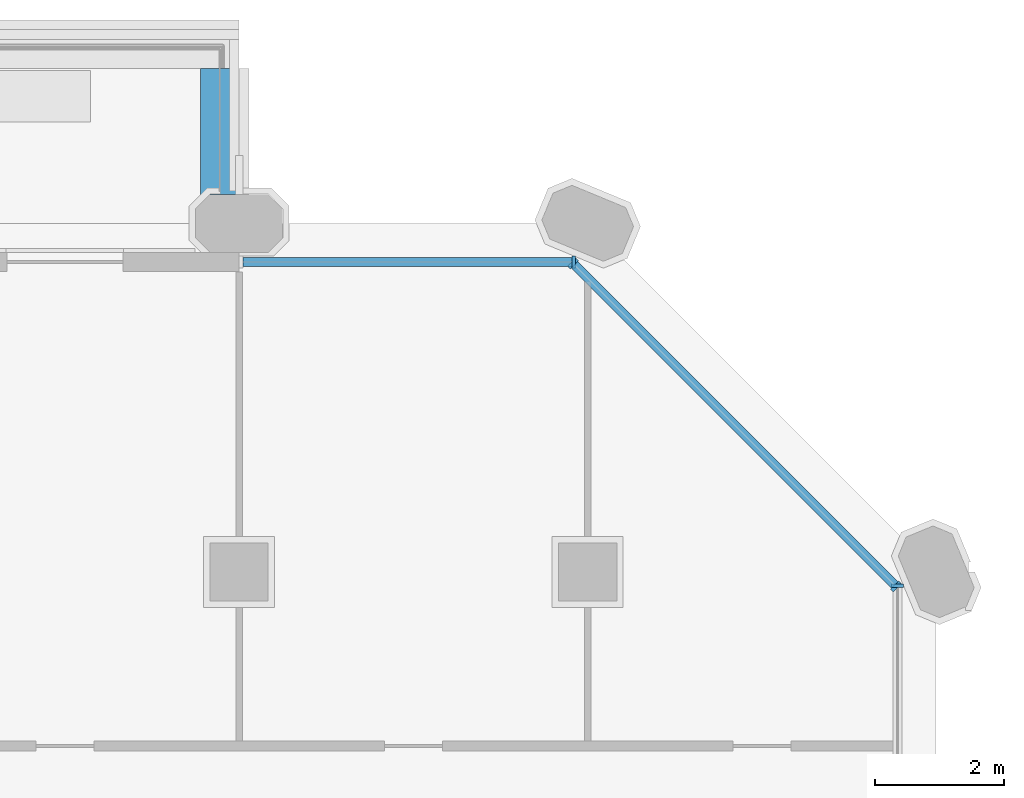
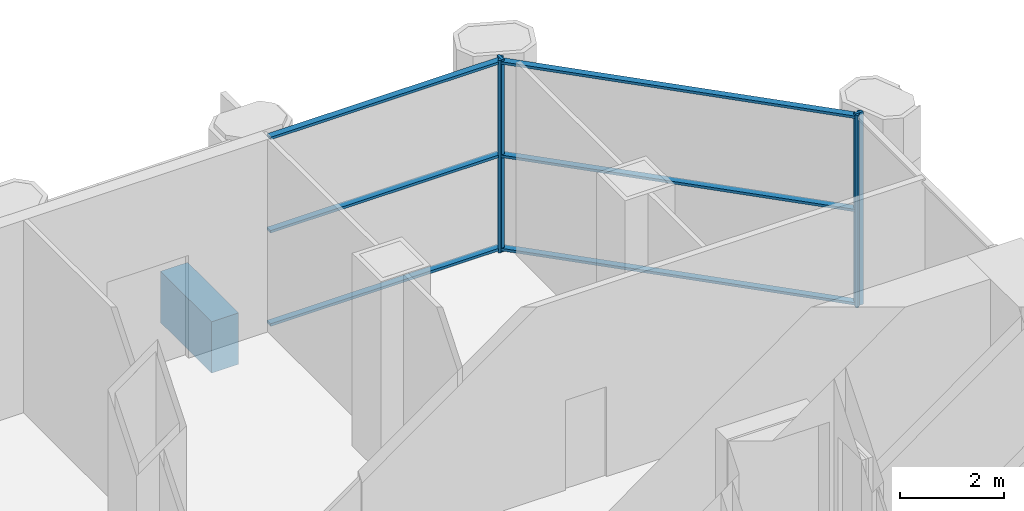
# One storey, part 8 of 15: 10 members, 1 beam, 3 elements without a shape of their own.
"""IFC4 building model written with IfcOpenShell, lengths in metres."""

from ifc_helpers import new_model, si_unit, direction, frame, origin, origin_2d, place, context, subcontext, project, spatial, rectangle, extrude, material, material_profile, profile_set, type_object, element, aggregate, save


model = new_model("IFC4")

# Units and contexts
model_context = context("Model", 3, precision=1e-05, world=origin(), true_north=direction((0.0, 1.0)))
body_context = subcontext(model_context, "Body", "Model", "MODEL_VIEW")
ifc_project = project(units=[si_unit("LENGTHUNIT", "METRE"), si_unit("AREAUNIT", "SQUARE_METRE"), si_unit("VOLUMEUNIT", "CUBIC_METRE"), si_unit("PLANEANGLEUNIT", "RADIAN"), si_unit("MASSUNIT", "GRAM", prefix="KILO")], contexts=[model_context])

# Site, building, storey
site_placement = place(None, origin())
site = spatial("IfcSite", under=ifc_project, at=site_placement, CompositionType="ELEMENT")
building_placement = place(site_placement, origin())
building = spatial("IfcBuilding", under=site, at=building_placement, Name="Tabaq Tower and Sports Hall", CompositionType="ELEMENT")
storey_placement = place(building_placement, frame((0.0, 0.0, 138.39990234375)))
storey = spatial("IfcBuildingStorey", under=building, at=storey_placement, Name="L32", CompositionType="ELEMENT", Elevation=138.39990234375)

# Curtain wall, member
ifc_material_1 = material(Name="Aluminium alloy 6063-T6 framed glazing", Category="aluminium")
curtain_wall_type = type_object("IfcCurtainWallType", Name="CW3 curtain wall", PredefinedType="USERDEFINED", material=ifc_material_1)
curtain_wall_1_placement = place(storey_placement, origin())
curtain_wall_1 = element("IfcCurtainWall", 1, at=curtain_wall_1_placement, inside=storey, type_object=curtain_wall_type, Name="Garden Floor Wall L32 E", ObjectType="GARDEN FLOOR WALL", PredefinedType="USERDEFINED")
ifc_material_2 = material(Name="Aluminium alloy 6063-T6", Category="aluminium")
ifc_material_profile_1 = material_profile(ifc_material_2, rectangle(XDim=0.179931640625, YDim=0.06005859375, at=origin_2d()), Name="MULLION 180x60")
ifc_profile_set_1 = profile_set([ifc_material_profile_1], Name="Aluminium alloy 6063-T6")
member_type_1 = type_object("IfcMemberType", Name="CW3 mullion 180x60", PredefinedType="MULLION", material=ifc_profile_set_1)
member_1_placement = place(storey_placement, frame((42.60009765625, 37.58349609375, 0.0), z_axis=(0.0, 0.0, 1.0), x_axis=(-1.0, 0.0, 0.0)))
member_1 = element("IfcMember", 2, at=member_1_placement, type_object=member_type_1, Name="CW3 mullion 2", PredefinedType="MULLION", context=body_context, shape_type="SweptSolid", body=[
    extrude(rectangle(XDim=0.179931640625, YDim=0.06005859375, at=origin_2d()), origin(), (0.0, 0.0, 1.0), 4.5),
])
aggregate(curtain_wall_1, [member_1])

# Curtain wall, members
curtain_wall_2_placement = place(storey_placement, origin())
curtain_wall_2 = element("IfcCurtainWall", 3, at=curtain_wall_2_placement, inside=storey, type_object=curtain_wall_type, Name="Garden Floor Wall L32 NE", ObjectType="GARDEN FLOOR WALL", PredefinedType="USERDEFINED")
member_2_placement = place(storey_placement, frame((42.578857421875, 37.57275390625, 0.0), z_axis=(0.0, 0.0, 1.0), x_axis=(-0.707106781187, -0.707106781187, 0.0)))
member_2 = element("IfcMember", 4, at=member_2_placement, type_object=member_type_1, Name="CW3 mullion 1", PredefinedType="MULLION", context=body_context, shape_type="SweptSolid", body=[
    extrude(rectangle(XDim=0.179931640625, YDim=0.06005859375, at=origin_2d()), origin(), (0.0, 0.0, 1.0), 4.5),
])
member_3_placement = place(storey_placement, frame((37.57275390625, 42.578857421875, 0.0), z_axis=(0.0, 0.0, 1.0), x_axis=(-0.707106781187, -0.707106781187, 0.0)))
member_3 = element("IfcMember", 5, at=member_3_placement, type_object=member_type_1, Name="CW3 mullion 2", PredefinedType="MULLION", context=body_context, shape_type="SweptSolid", body=[
    extrude(rectangle(XDim=0.179931640625, YDim=0.06005859375, at=origin_2d()), origin(), (0.0, 0.0, 1.0), 4.5),
])

# Curtain wall, member
curtain_wall_3_placement = place(storey_placement, origin())
curtain_wall_3 = element("IfcCurtainWall", 6, at=curtain_wall_3_placement, inside=storey, type_object=curtain_wall_type, Name="Garden Floor Wall L32 N", ObjectType="GARDEN FLOOR WALL", PredefinedType="USERDEFINED")
member_4_placement = place(storey_placement, frame((37.58349609375, 42.60009765625, 0.0), z_axis=(0.0, 0.0, 1.0), x_axis=(0.0, -1.0, 0.0)))
member_4 = element("IfcMember", 7, at=member_4_placement, type_object=member_type_1, Name="CW3 mullion 1", PredefinedType="MULLION", context=body_context, shape_type="SweptSolid", body=[
    extrude(rectangle(XDim=0.179931640625, YDim=0.06005859375, at=origin_2d()), origin(), (0.0, 0.0, 1.0), 4.5),
])

# Member
ifc_material_3 = material(Name="Aluminium alloy 6063-T6", Category="aluminium")
ifc_material_profile_2 = material_profile(ifc_material_3, rectangle(XDim=0.139892578125, YDim=0.06005859375, at=origin_2d()), Name="TRANSOM 140x60")
ifc_profile_set_2 = profile_set([ifc_material_profile_2], Name="Aluminium alloy 6063-T6")
member_type_2 = type_object("IfcMemberType", Name="CW3 transom 140x60", PredefinedType="USERDEFINED", material=ifc_profile_set_2)
member_5_placement = place(storey_placement, frame((42.5576171875, 37.593994140625, 0.070068359375), z_axis=(-0.707106781187, 0.707106781187, 0.0), x_axis=(-0.707106781187, -0.707106781187, 0.0)))
member_5 = element("IfcMember", 8, at=member_5_placement, type_object=member_type_2, Name="CW3 transom 1.1", ObjectType="TRANSOM", PredefinedType="USERDEFINED", context=body_context, shape_type="SweptSolid", body=[
    extrude(rectangle(XDim=0.139892578125, YDim=0.06005859375, at=origin_2d()), origin(), (0.0, 0.0, 1.0), 7.01953125),
])

member_6_placement = place(storey_placement, frame((42.5576171875, 37.593994140625, 2.25), z_axis=(-0.707106781187, 0.707106781187, 0.0), x_axis=(-0.707106781187, -0.707106781187, 0.0)))
member_6 = element("IfcMember", 9, at=member_6_placement, type_object=member_type_2, Name="CW3 transom 1.2", ObjectType="TRANSOM", PredefinedType="USERDEFINED", context=body_context, shape_type="SweptSolid", body=[
    extrude(rectangle(XDim=0.139892578125, YDim=0.06005859375, at=origin_2d()), origin(), (0.0, 0.0, 1.0), 7.01953125),
])

member_7_placement = place(storey_placement, frame((42.5576171875, 37.593994140625, 4.43017578125), z_axis=(-0.707106781187, 0.707106781187, 0.0), x_axis=(-0.707106781187, -0.707106781187, 0.0)))
member_7 = element("IfcMember", 10, at=member_7_placement, type_object=member_type_2, Name="CW3 transom 1.3", ObjectType="TRANSOM", PredefinedType="USERDEFINED", context=body_context, shape_type="SweptSolid", body=[
    extrude(rectangle(XDim=0.139892578125, YDim=0.06005859375, at=origin_2d()), origin(), (0.0, 0.0, 1.0), 7.01953125),
])

aggregate(curtain_wall_2, [member_2, member_3, member_5, member_6, member_7])

member_8_placement = place(storey_placement, frame((37.5537109375, 42.60009765625, 0.070068359375), z_axis=(-1.0, 0.0, 0.0), x_axis=(0.0, -1.0, 0.0)))
member_8 = element("IfcMember", 11, at=member_8_placement, type_object=member_type_2, Name="CW3 transom 1.1", ObjectType="TRANSOM", PredefinedType="USERDEFINED", context=body_context, shape_type="SweptSolid", body=[
    extrude(rectangle(XDim=0.139892578125, YDim=0.06005859375, at=origin_2d()), origin(), (0.0, 0.0, 1.0), 5.09375),
])

member_9_placement = place(storey_placement, frame((37.5537109375, 42.60009765625, 2.25), z_axis=(-1.0, 0.0, 0.0), x_axis=(0.0, -1.0, 0.0)))
member_9 = element("IfcMember", 12, at=member_9_placement, type_object=member_type_2, Name="CW3 transom 1.2", ObjectType="TRANSOM", PredefinedType="USERDEFINED", context=body_context, shape_type="SweptSolid", body=[
    extrude(rectangle(XDim=0.139892578125, YDim=0.06005859375, at=origin_2d()), origin(), (0.0, 0.0, 1.0), 5.09375),
])

member_10_placement = place(storey_placement, frame((37.5537109375, 42.60009765625, 4.43017578125), z_axis=(-1.0, 0.0, 0.0), x_axis=(0.0, -1.0, 0.0)))
member_10 = element("IfcMember", 13, at=member_10_placement, type_object=member_type_2, Name="CW3 transom 1.3", ObjectType="TRANSOM", PredefinedType="USERDEFINED", context=body_context, shape_type="SweptSolid", body=[
    extrude(rectangle(XDim=0.139892578125, YDim=0.06005859375, at=origin_2d()), origin(), (0.0, 0.0, 1.0), 5.09375),
])

aggregate(curtain_wall_3, [member_4, member_8, member_9, member_10])

# Beam
ifc_material_4 = material(Name="Concrete C40/50", Category="concrete")
ifc_material_profile_3 = material_profile(ifc_material_4, rectangle(XDim=0.60009765625, YDim=1.199951171875, at=origin_2d()), Name="EBT 600x1200")
ifc_profile_set_3 = profile_set([ifc_material_profile_3], Name="Concrete C40/50")
beam_type = type_object("IfcBeamType", Name="Concrete C40/50 PT edge band EBT 600x1200", PredefinedType="BEAM", material=ifc_profile_set_3)
beam_placement = place(storey_placement, frame((32.10009765625, 43.64990234375, -0.89990234375), z_axis=(0.0, 1.0, 0.0), x_axis=(-1.0, 0.0, 0.0)))
element("IfcBeam", 14, at=beam_placement, inside=storey, type_object=beam_type, Name="Tray edge band L32", PredefinedType="BEAM", context=body_context, shape_type="SweptSolid", body=[
    extrude(rectangle(XDim=0.60009765625, YDim=1.199951171875, at=origin_2d()), origin(), (0.0, 0.0, 1.0), 1.9501953125),
])

save(model, "model.ifc")
